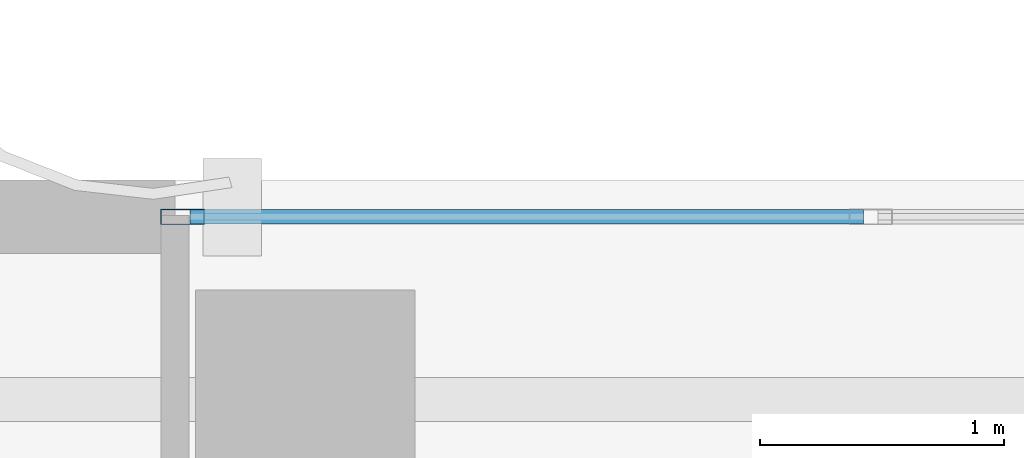
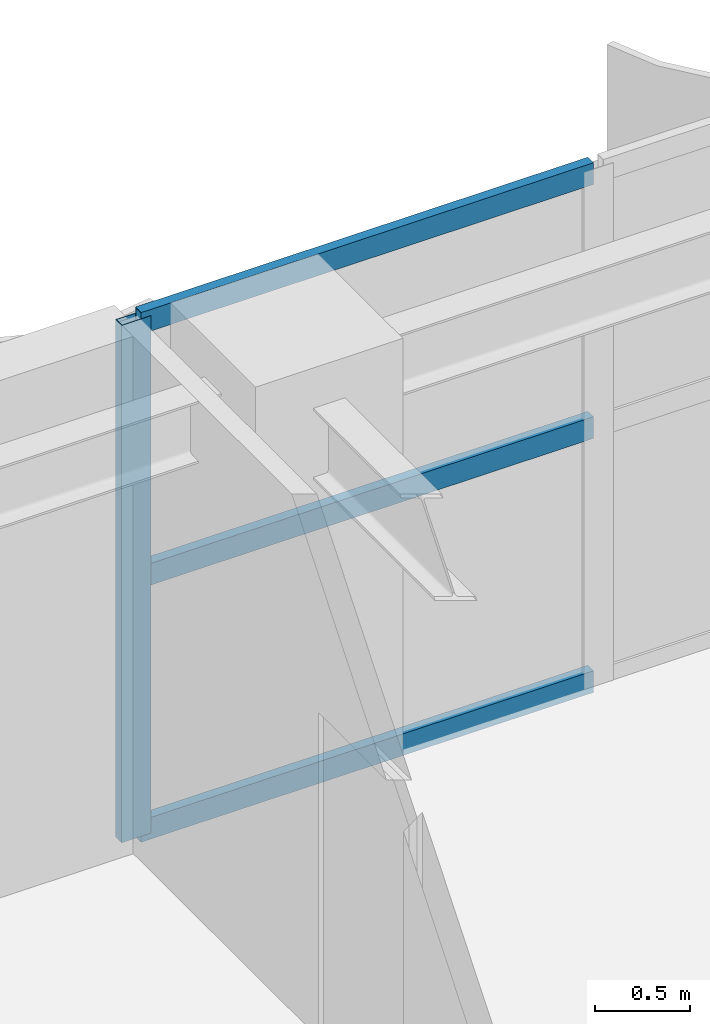
# One storey, part 11 of 22: 4 members, 1 element without a shape of its own.
"""IFC4 building model written with IfcOpenShell, lengths in metres."""

from ifc_helpers import new_model, si_unit, direction, frame, origin, origin_2d, place, context, subcontext, project, spatial, hollow_rectangle, extrude, source, transform, mapped, material, layer, layer_set, material_profile, profile_set, type_object, element, aggregate, save


model = new_model("IFC4")

# Units and contexts
model_context = context("Model", 3, precision=1e-05, world=origin(), true_north=direction((0.0, 1.0)))
body_context = subcontext(model_context, "Body", "Model", "MODEL_VIEW")
ifc_project = project(units=[si_unit("LENGTHUNIT", "METRE"), si_unit("AREAUNIT", "SQUARE_METRE"), si_unit("VOLUMEUNIT", "CUBIC_METRE"), si_unit("PLANEANGLEUNIT", "RADIAN"), si_unit("MASSUNIT", "GRAM", prefix="KILO")], contexts=[model_context])

# Site, building, storey
site_placement = place(None, origin())
site = spatial("IfcSite", under=ifc_project, at=site_placement, CompositionType="ELEMENT")
building_placement = place(site_placement, origin())
building = spatial("IfcBuilding", under=site, at=building_placement, Name="Khoralis Quay Care Tower", CompositionType="ELEMENT")
storey_placement = place(building_placement, frame((0.0, 0.0, 180.89990234375)))
storey = spatial("IfcBuildingStorey", under=building, at=storey_placement, Name="L47", CompositionType="ELEMENT", Elevation=180.89990234375)

# Curtain wall, members
ifc_material = material(Name="Pale anodised aluminium", Category="aluminium")
ifc_layer = layer(ifc_material, 0.159912109375)
ifc_layer_set = layer_set([ifc_layer], Name="Pale anodised aluminium")
curtain_wall_type = type_object("IfcCurtainWallType", Name="CW-SYS-Z3", PredefinedType="NOTDEFINED", material=ifc_layer_set)
curtain_wall_placement = place(storey_placement, origin())
curtain_wall = element("IfcCurtainWall", 1, at=curtain_wall_placement, inside=storey, type_object=curtain_wall_type, Name="L47 Unitised Curtain Wall CW-L47-P1-E10", PredefinedType="NOTDEFINED")
ifc_material_profile_1 = material_profile(ifc_material, hollow_rectangle(XDim=0.06494140625, YDim=0.179931640625, WallThickness=0.00390625, at=origin_2d()), Name="Pale anodised aluminium")
ifc_profile_set_1 = profile_set([ifc_material_profile_1], Name="Pale anodised aluminium")
member_type_1 = type_object("IfcMemberType", Name="CW-MUL-180", PredefinedType="MULLION", material=ifc_profile_set_1)
shared_shape_1 = source(origin(), body_context, "Body", "SweptSolid", [
    extrude(hollow_rectangle(XDim=0.06494140625, YDim=0.179931640625, WallThickness=0.00390625, at=origin_2d()), origin(), (0.0, 0.0, 1.0), 3.340087890625),
])
member_1_placement = place(storey_placement, frame((16.596923828125, 41.85009765625, 0.0), z_axis=(0.0, 0.0, 1.0), x_axis=(0.0, -1.0, 0.0)))
member_1 = element("IfcMember", 2, at=member_1_placement, type_object=member_type_1, Name="CW3 mullion 5", PredefinedType="MULLION", context=body_context, shape_type="MappedRepresentation", body=[
    mapped(shared_shape_1, transform((0.0, 0.0, 0.0), scale=1.0)),
])
ifc_material_profile_2 = material_profile(ifc_material, hollow_rectangle(XDim=0.06005859375, YDim=0.139892578125, WallThickness=0.00390625, at=origin_2d()), Name="Pale anodised aluminium")
ifc_profile_set_2 = profile_set([ifc_material_profile_2], Name="Pale anodised aluminium")
member_type_2 = type_object("IfcMemberType", Name="CW-TRN-140", PredefinedType="USERDEFINED", material=ifc_profile_set_2)
shared_shape_2 = source(origin(), body_context, "Body", "SweptSolid", [
    extrude(hollow_rectangle(XDim=0.06005859375, YDim=0.139892578125, WallThickness=0.00390625, at=origin_2d()), origin(), (0.0, 0.0, 1.0), 2.762939453125),
])
member_2_placement = place(storey_placement, frame((19.389892578125, 41.85009765625, 0.030029296875), z_axis=(-1.0, 0.0, 0.0), x_axis=(0.0, -1.0, 0.0)))
member_2 = element("IfcMember", 3, at=member_2_placement, type_object=member_type_2, Name="CW3 transom 4.1", ObjectType="TRANSOM", PredefinedType="USERDEFINED", context=body_context, shape_type="MappedRepresentation", body=[
    mapped(shared_shape_2, transform((0.0, 0.0, 0.0), scale=1.0)),
])
member_3_placement = place(storey_placement, frame((19.389892578125, 41.85009765625, 1.670166015625), z_axis=(-1.0, 0.0, 0.0), x_axis=(0.0, -1.0, 0.0)))
member_3 = element("IfcMember", 4, at=member_3_placement, type_object=member_type_2, Name="CW3 transom 4.2", ObjectType="TRANSOM", PredefinedType="USERDEFINED", context=body_context, shape_type="MappedRepresentation", body=[
    mapped(shared_shape_2, transform((0.0, 0.0, 0.0), scale=1.0)),
])
member_4_placement = place(storey_placement, frame((19.389892578125, 41.85009765625, 3.31005859375), z_axis=(-1.0, 0.0, 0.0), x_axis=(0.0, -1.0, 0.0)))
member_4 = element("IfcMember", 5, at=member_4_placement, type_object=member_type_2, Name="CW3 transom 4.3", ObjectType="TRANSOM", PredefinedType="USERDEFINED", context=body_context, shape_type="MappedRepresentation", body=[
    mapped(shared_shape_2, transform((0.0, 0.0, 0.0), scale=1.0)),
])
aggregate(curtain_wall, [member_1, member_2, member_3, member_4])

save(model, "model.ifc")
